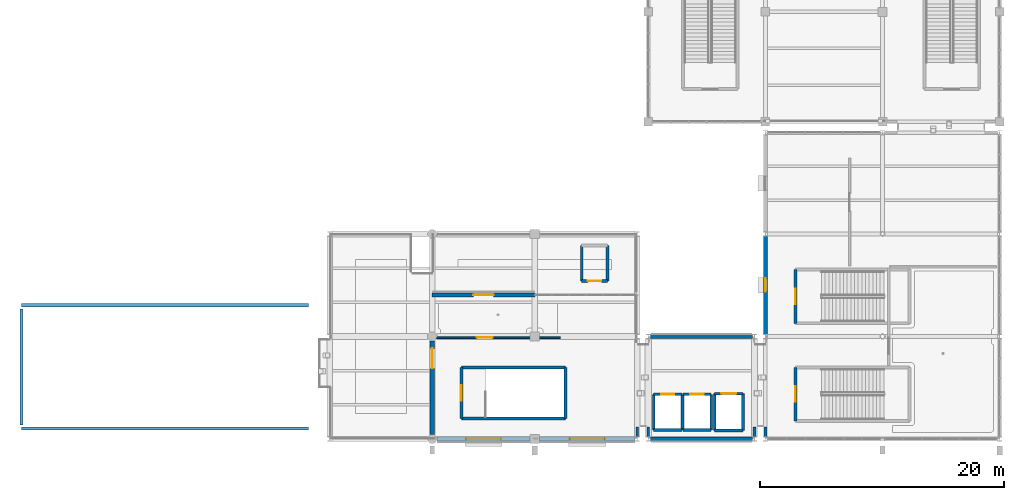
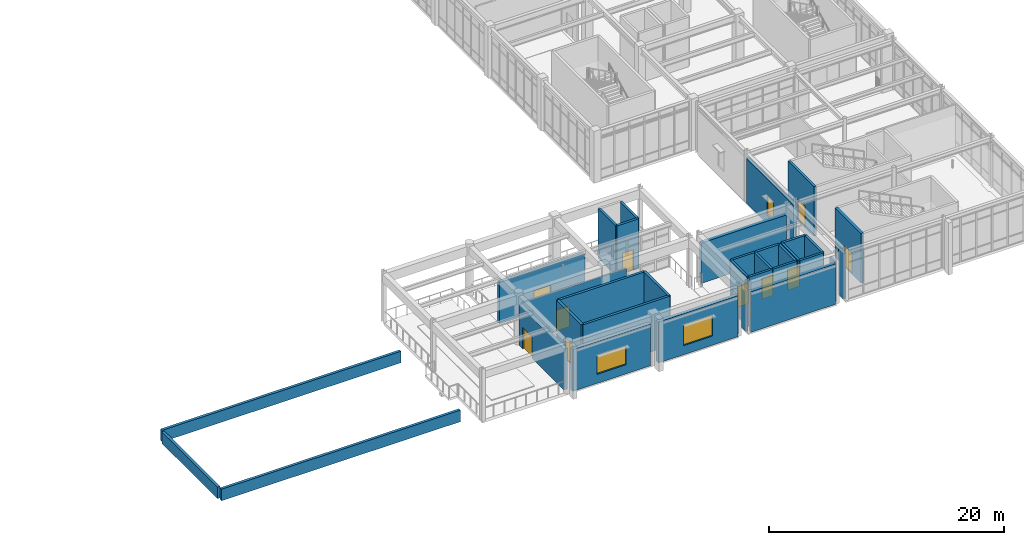
# One storey, part 65 of 80: 35 walls, 10 doors, 3 windows, 13 openings.
"""IFC4 building model written with IfcOpenShell, lengths in metres."""

import ifcopenshell
import ifcopenshell.guid

model = None  # the IFC model being written
_history = None  # IfcOwnerHistory: only IFC2X3 demands one
_inside = {}  # id of a spatial element -> (the spatial element, [elements in it])
_under = {}  # id of a project, library or spatial element -> (it, [spatial elements below it])
_declared = {}  # id of a project -> (the project, [libraries it declares])
_typed = {}  # id of a type object -> (the type object, [elements of that type])
_made_of = {}  # id of a material, layer set ... -> (it, [elements and type objects made of it])


def new_model(schema):
    """Start an empty IFC model of exactly this schema.

    Asked for "IFC4X3", IfcOpenShell would pick the latest addendum, in which some entities
    have other attributes; the version numbers below select the first issue.
    IFC2X3 requires an IfcOwnerHistory on every rooted entity: one is made here for all.
    """
    global model, _history
    if schema == "IFC4X3":
        model = ifcopenshell.file(schema_version=(4, 3, 0, 0))
    else:
        model = ifcopenshell.file(schema=schema)
    _inside.clear()
    _under.clear()
    _declared.clear()
    _typed.clear()
    _made_of.clear()
    _history = None
    if model.schema == "IFC2X3":
        org = make("IfcOrganization", Name="unknown")
        user = make(
            "IfcPersonAndOrganization",
            ThePerson=make("IfcPerson", FamilyName="unknown"),
            TheOrganization=org,
        )
        app = make(
            "IfcApplication",
            ApplicationDeveloper=org,
            Version="unknown",
            ApplicationFullName="unknown",
            ApplicationIdentifier="unknown",
        )
        _history = make(
            "IfcOwnerHistory",
            OwningUser=user,
            OwningApplication=app,
            ChangeAction="ADDED",
            CreationDate=0,
        )
    return model


def make(cls, **values):
    """One entity of the class cls with the attributes given. An attribute that is None is left unset."""
    return model.create_entity(
        cls, **{name: value for name, value in values.items() if value is not None}
    )


def rooted(cls, **values):
    """An entity with a GlobalId (a new one), such as an element, a storey or a relation."""
    return make(cls, GlobalId=ifcopenshell.guid.new(), OwnerHistory=_history, **values)


def si_unit(unit_type, name, prefix=None):
    """IfcSIUnit, for example si_unit("LENGTHUNIT", "METRE", prefix="MILLI")."""
    return make("IfcSIUnit", UnitType=unit_type, Prefix=prefix, Name=name)


def assignment(units):
    """IfcUnitAssignment: the units of a project."""
    return None if units is None else make("IfcUnitAssignment", Units=units)


def point(xyz):
    """IfcCartesianPoint."""
    return None if xyz is None else make("IfcCartesianPoint", Coordinates=xyz)


def direction(xyz):
    """IfcDirection."""
    return None if xyz is None else make("IfcDirection", DirectionRatios=xyz)


def frame(location, z_axis=None, x_axis=None):
    """IfcAxis2Placement3D, a coordinate frame: its origin and axes. An axis left out is left unset."""
    return make(
        "IfcAxis2Placement3D",
        Location=point(location),
        Axis=direction(z_axis),
        RefDirection=direction(x_axis),
    )


def frame_2d(location, x_axis=None):
    """IfcAxis2Placement2D, a coordinate frame in the plane: its origin and x axis."""
    return make(
        "IfcAxis2Placement2D", Location=point(location), RefDirection=direction(x_axis)
    )


def origin():
    """The frame at (0, 0, 0) with its axes left unset."""
    return frame((0.0, 0.0, 0.0))


def place(relative_to, where):
    """IfcLocalPlacement: puts the frame where relative to a parent placement (None: the world)."""
    return make(
        "IfcLocalPlacement", PlacementRelTo=relative_to, RelativePlacement=where
    )


def context(
    kind, dimensions, precision=None, world=None, true_north=None, identifier=None
):
    """IfcGeometricRepresentationContext, for example the 3D "Model" context."""
    return make(
        "IfcGeometricRepresentationContext",
        ContextIdentifier=identifier,
        ContextType=kind,
        CoordinateSpaceDimension=dimensions,
        Precision=precision,
        WorldCoordinateSystem=world,
        TrueNorth=true_north,
    )


def subcontext(parent, identifier, kind, view, scale=None):
    """IfcGeometricRepresentationSubContext, for example "Body" below "Model"."""
    return make(
        "IfcGeometricRepresentationSubContext",
        ContextIdentifier=identifier,
        ContextType=kind,
        ParentContext=parent,
        TargetScale=scale,
        TargetView=view,
    )


def project(units=None, contexts=None):
    """IfcProject with its units and contexts."""
    return rooted(
        "IfcProject",
        Name="project",
        RepresentationContexts=contexts,
        UnitsInContext=assignment(units),
    )


def spatial(cls, under=None, at=None, **own):
    """A site, building, storey or space (cls), placed at a placement, below another one or the project."""
    s = rooted(cls, ObjectPlacement=at, **own)
    if under is not None:
        _under.setdefault(under.id(), (under, []))[1].append(s)
    return s


def profile(cls, at=None, kind="AREA", **sizes):
    """A parametric profile (cls). Its sizes go by their IFC names, for example OverallWidth=200.0."""
    return make(cls, ProfileType=kind, Position=at, **sizes)


def rectangle(**sizes):
    """IfcRectangleProfileDef."""
    return profile("IfcRectangleProfileDef", **sizes)


def extrude(swept, where, along, depth):
    """IfcExtrudedAreaSolid: the profile swept, set in the frame where, extruded along a direction by depth."""
    return make(
        "IfcExtrudedAreaSolid",
        SweptArea=swept,
        Position=where,
        ExtrudedDirection=direction(along),
        Depth=depth,
    )


def shape(context_of_items, identifier, shape_type, items):
    """IfcShapeRepresentation: the items that make up one representation, for example the "Body"."""
    return make(
        "IfcShapeRepresentation",
        ContextOfItems=context_of_items,
        RepresentationIdentifier=identifier,
        RepresentationType=shape_type,
        Items=items,
    )


def material(Name=None, Category=None):
    """IfcMaterial."""
    return make("IfcMaterial", Name=Name, Category=Category)


def layer(
    of_material, thickness, ventilated=None, Name=None, Category=None, Priority=None
):
    """IfcMaterialLayer: one layer of a wall or slab, of a material (None: an air gap)."""
    return make(
        "IfcMaterialLayer",
        Material=of_material,
        LayerThickness=thickness,
        IsVentilated=ventilated,
        Name=Name,
        Category=Category,
        Priority=Priority,
    )


def layer_set(layers, Name=None):
    """IfcMaterialLayerSet."""
    return make("IfcMaterialLayerSet", MaterialLayers=layers, LayerSetName=Name)


def made_of(thing, what):
    """Note that an element or type object is made of a material, layer set ...; save() writes the relation."""
    if what is not None:
        _made_of.setdefault(what.id(), (what, []))[1].append(thing)
    return thing


def type_object(cls, material=None, **own):
    """A type object (cls), such as IfcWallType, which elements share."""
    return made_of(rooted(cls, **own), material)


def element(
    cls,
    number,
    at=None,
    inside=None,
    cuts=None,
    type_object=None,
    material=None,
    context=None,
    identifier="Body",
    shape_type=None,
    held_by="IfcProductDefinitionShape",
    body=None,
    shapes=None,
    **own,
):
    """One element of the class cls, such as IfcWall. Its Tag is "e" and its number.

    at: its placement. inside: the storey or other place that contains it. cuts: it is an
    opening in that element (IfcRelVoidsElement). A single representation is given by context,
    identifier, shape_type and body (its items); several are given by shapes. held_by: the class
    of the entity that holds the representations. save() writes the other relations.
    """
    e = rooted(cls, Tag="e%d" % number, ObjectPlacement=at, **own)
    if body is not None:
        shapes = [shape(context, identifier, shape_type, body)]
    if shapes is not None:
        e.Representation = make(held_by, Representations=shapes)
    if inside is not None:
        _inside.setdefault(inside.id(), (inside, []))[1].append(e)
    if cuts is not None:
        rooted(
            "IfcRelVoidsElement", RelatingBuildingElement=cuts, RelatedOpeningElement=e
        )
    if type_object is not None:
        _typed.setdefault(type_object.id(), (type_object, []))[1].append(e)
    return made_of(e, material)


def fill(opening, filler):
    """IfcRelFillsElement: the door or window that sits in an opening."""
    return rooted(
        "IfcRelFillsElement",
        RelatingOpeningElement=opening,
        RelatedBuildingElement=filler,
    )


def aggregate(whole, parts):
    """IfcRelAggregates: a whole, such as a stair, and the parts it consists of."""
    return rooted("IfcRelAggregates", RelatingObject=whole, RelatedObjects=parts)


def save(model, path):
    """Write the relations noted so far, then the file.

    IfcRelAggregates (storeys below a building ...), IfcRelContainedInSpatialStructure (elements
    in a storey), IfcRelDefinesByType, IfcRelAssociatesMaterial and IfcRelDeclares: one each for
    every whole, place, type object, material and project.
    """
    for whole, parts in _under.values():
        aggregate(whole, parts)
    for where, things in _inside.values():
        rooted(
            "IfcRelContainedInSpatialStructure",
            RelatedElements=things,
            RelatingStructure=where,
        )
    for kind, things in _typed.values():
        rooted("IfcRelDefinesByType", RelatedObjects=things, RelatingType=kind)
    for what, things in _made_of.values():
        rooted("IfcRelAssociatesMaterial", RelatedObjects=things, RelatingMaterial=what)
    for by, libraries in _declared.values():
        rooted("IfcRelDeclares", RelatingContext=by, RelatedDefinitions=libraries)
    model.write(path)


model = new_model("IFC4")

# Units and contexts
model_context = context("Model", 3, precision=1e-05, world=origin(), true_north=direction((0.0, 1.0)))
body_context = subcontext(model_context, "Body", "Model", "MODEL_VIEW")
ifc_project = project(units=[si_unit("LENGTHUNIT", "METRE"), si_unit("AREAUNIT", "SQUARE_METRE"), si_unit("VOLUMEUNIT", "CUBIC_METRE"), si_unit("PLANEANGLEUNIT", "RADIAN"), si_unit("MASSUNIT", "GRAM", prefix="KILO")], contexts=[model_context])

# Site, building, storey
site_placement = place(None, origin())
site = spatial("IfcSite", under=ifc_project, at=site_placement, CompositionType="ELEMENT")
building_placement = place(site_placement, origin())
building = spatial("IfcBuilding", under=site, at=building_placement, Name="Canglan Escarpment Cableway Terminal", CompositionType="ELEMENT")
storey_placement = place(building_placement, frame((0.0, 0.0, 19.199951171875)))
storey = spatial("IfcBuildingStorey", under=building, at=storey_placement, Name="L04", CompositionType="ELEMENT", Elevation=19.199951171875)

# Walls
ifc_material_1 = material(Name="Concrete C40", Category="concrete")
ifc_layer_1 = layer(ifc_material_1, 0.239990234375, Name="Concrete C40")
ifc_layer_set_1 = layer_set([ifc_layer_1], Name="Concrete C40")
wall_type_1 = type_object("IfcWallType", Name="WL-CORE-SHEAR-240", PredefinedType="SHEAR", material=ifc_layer_set_1)
wall_1_placement = place(storey_placement, frame((122.280029296875, 9.679931640625, 0.0), z_axis=(0.0, 0.0, 1.0), x_axis=(1.0, 0.0, 0.0)))
element("IfcWall", 1, at=wall_1_placement, inside=storey, type_object=wall_type_1, Name="Protected stair core wall ST-07 (L04)", PredefinedType="SHEAR", context=body_context, shape_type="SweptSolid", body=[
    extrude(rectangle(XDim=8.5400390625, YDim=0.239990234375, at=frame_2d((4.27001953125, 0.0))), origin(), (0.0, 0.0, 1.0), 5.16015625),
])
wall_2_placement = place(storey_placement, frame((130.820068359375, 9.679931640625, 0.0), z_axis=(0.0, 0.0, 1.0), x_axis=(0.0, 1.0, 0.0)))
element("IfcWall", 2, at=wall_2_placement, inside=storey, type_object=wall_type_1, Name="Protected stair core wall ST-07 (L04)", PredefinedType="SHEAR", context=body_context, shape_type="SweptSolid", body=[
    extrude(rectangle(XDim=4.190185546875, YDim=0.239990234375, at=frame_2d((2.09521484375, 0.0))), origin(), (0.0, 0.0, 1.0), 5.16015625),
])
wall_3_placement = place(storey_placement, frame((130.820068359375, 13.8701171875, 0.0), z_axis=(0.0, 0.0, 1.0), x_axis=(-1.0, 0.0, 0.0)))
element("IfcWall", 3, at=wall_3_placement, inside=storey, type_object=wall_type_1, Name="Protected stair core wall ST-07 (L04)", PredefinedType="SHEAR", context=body_context, shape_type="SweptSolid", body=[
    extrude(rectangle(XDim=8.5400390625, YDim=0.239990234375, at=frame_2d((4.27001953125, 0.0))), origin(), (0.0, 0.0, 1.0), 5.16015625),
])

# Wall, opening, door
wall_4_placement = place(storey_placement, frame((122.280029296875, 13.8701171875, 0.0), z_axis=(0.0, 0.0, 1.0), x_axis=(0.0, -1.0, 0.0)))
wall_4 = element("IfcWall", 4, at=wall_4_placement, inside=storey, type_object=wall_type_1, Name="Protected stair core wall ST-07 (L04)", PredefinedType="SHEAR", context=body_context, shape_type="SweptSolid", body=[
    extrude(rectangle(XDim=4.190185546875, YDim=0.239990234375, at=frame_2d((2.09521484375, 0.0))), origin(), (0.0, 0.0, 1.0), 5.16015625),
])
opening_1_placement = place(wall_4_placement, frame((1.469970703125, 0.0, 0.0)))
opening_1 = element("IfcOpeningElement", 5, at=opening_1_placement, cuts=wall_4, Name="Opening SD-D1", PredefinedType="OPENING", context=body_context, shape_type="SweptSolid", body=[
    extrude(rectangle(XDim=1.25, YDim=2.199951171875, at=frame_2d((0.625, 1.10009765625))), frame((0.0, 0.1298828125, 0.0), z_axis=(0.0, -1.0, 0.0), x_axis=(1.0, 0.0, 0.0)), (0.0, 0.0, 1.0), 0.260009765625),
])
ifc_material_2 = material(Name="Steel fire-resisting stair door", Category="steel")
door_type_1 = type_object("IfcDoorType", Name="DR-STAIR-EI90-1250", OperationType="NOTDEFINED", PredefinedType="DOOR", material=ifc_material_2)
door_1_placement = place(opening_1_placement, origin())
door_1 = element("IfcDoor", 6, at=door_1_placement, inside=storey, type_object=door_type_1, Name="Protected exit stair fire door ST-07 (L04)", OperationType="SINGLE_SWING_LEFT", OverallHeight=2.199951171875, OverallWidth=1.25, PredefinedType="DOOR", context=body_context, shape_type="SweptSolid", body=[
    extrude(rectangle(XDim=1.25, YDim=2.199951171875, at=frame_2d((0.625, 1.10009765625))), frame((0.0, 0.02490234375, 0.0), z_axis=(0.0, -1.0, 0.0), x_axis=(1.0, 0.0, 0.0)), (0.0, 0.0, 1.0), 0.050048828125),
])
fill(opening_1, door_1)

wall_5_placement = place(storey_placement, frame((149.679931640625, 13.8701171875, 0.0), z_axis=(0.0, 0.0, 1.0), x_axis=(0.0, -1.0, 0.0)))
wall_5 = element("IfcWall", 7, at=wall_5_placement, inside=storey, type_object=wall_type_1, Name="Protected stair core wall ST-08 (L04)", PredefinedType="SHEAR", context=body_context, shape_type="SweptSolid", body=[
    extrude(rectangle(XDim=4.39013671875, YDim=0.239990234375, at=frame_2d((2.195068359375, 0.0))), origin(), (0.0, 0.0, 1.0), 5.16015625),
])
opening_2_placement = place(wall_5_placement, frame((1.570068359375, 0.0, 0.0)))
opening_2 = element("IfcOpeningElement", 8, at=opening_2_placement, cuts=wall_5, Name="Opening SD-D1", PredefinedType="OPENING", context=body_context, shape_type="SweptSolid", body=[
    extrude(rectangle(XDim=1.25, YDim=2.199951171875, at=frame_2d((0.625, 1.10009765625))), frame((0.0, 0.1298828125, 0.0), z_axis=(0.0, -1.0, 0.0), x_axis=(1.0, 0.0, 0.0)), (0.0, 0.0, 1.0), 0.260009765625),
])
door_2_placement = place(opening_2_placement, origin())
door_2 = element("IfcDoor", 9, at=door_2_placement, inside=storey, type_object=door_type_1, Name="Protected exit stair fire door ST-08 (L04)", OperationType="SINGLE_SWING_LEFT", OverallHeight=2.199951171875, OverallWidth=1.25, PredefinedType="DOOR", context=body_context, shape_type="SweptSolid", body=[
    extrude(rectangle(XDim=1.25, YDim=2.199951171875, at=frame_2d((0.625, 1.10009765625))), frame((0.0, 0.02490234375, 0.0), z_axis=(0.0, -1.0, 0.0), x_axis=(1.0, 0.0, 0.0)), (0.0, 0.0, 1.0), 0.050048828125),
])
fill(opening_2, door_2)

wall_6_placement = place(storey_placement, frame((149.679931640625, 21.8701171875, 0.0), z_axis=(0.0, 0.0, 1.0), x_axis=(0.0, -1.0, 0.0)))
wall_6 = element("IfcWall", 10, at=wall_6_placement, inside=storey, type_object=wall_type_1, Name="Protected stair core wall ST-09 (L04)", PredefinedType="SHEAR", context=body_context, shape_type="SweptSolid", body=[
    extrude(rectangle(XDim=4.39013671875, YDim=0.239990234375, at=frame_2d((2.195068359375, 0.0))), origin(), (0.0, 0.0, 1.0), 5.16015625),
])
opening_3_placement = place(wall_6_placement, frame((1.570068359375, 0.0, 0.0)))
opening_3 = element("IfcOpeningElement", 11, at=opening_3_placement, cuts=wall_6, Name="Opening SD-D1", PredefinedType="OPENING", context=body_context, shape_type="SweptSolid", body=[
    extrude(rectangle(XDim=1.25, YDim=2.199951171875, at=frame_2d((0.625, 1.10009765625))), frame((0.0, 0.1298828125, 0.0), z_axis=(0.0, -1.0, 0.0), x_axis=(1.0, 0.0, 0.0)), (0.0, 0.0, 1.0), 0.260009765625),
])
door_3_placement = place(opening_3_placement, origin())
door_3 = element("IfcDoor", 12, at=door_3_placement, inside=storey, type_object=door_type_1, Name="Protected exit stair fire door ST-09 (L04)", OperationType="SINGLE_SWING_RIGHT", OverallHeight=2.199951171875, OverallWidth=1.25, PredefinedType="DOOR", context=body_context, shape_type="SweptSolid", body=[
    extrude(rectangle(XDim=1.25, YDim=2.199951171875, at=frame_2d((0.625, 1.10009765625))), frame((0.0, 0.02490234375, 0.0), z_axis=(0.0, -1.0, 0.0), x_axis=(1.0, 0.0, 0.0)), (0.0, 0.0, 1.0), 0.050048828125),
])
fill(opening_3, door_3)

# Walls
ifc_material_3 = material(Name="Dressed ashlar limestone on Concrete C40", Category="masonry")
ifc_layer_2 = layer(ifc_material_3, 0.320068359375, Name="Dressed ashlar limestone on Concrete C40")
ifc_layer_set_2 = layer_set([ifc_layer_2], Name="Dressed ashlar limestone on Concrete C40")
wall_type_2 = type_object("IfcWallType", Name="WL-EXT-ASHLAR-320", PredefinedType="STANDARD", material=ifc_layer_set_2)
for number, where, z_axis, x_axis, name in (
    (13, (137.77490234375, 8.0, 0.0), (0.0, 0.0, 1.0), (1.0, 0.0, 0.0), "Classical stone-faced exterior wall EW-FB5A-L04-S-01"),
    (14, (146.125, 16.39990234375, 0.0), (0.0, 0.0, 1.0), (-1.0, 0.0, 0.0), "Classical stone-faced exterior wall EW-FB5A-L04-N-01"),
):
    element("IfcWall", number, at=place(storey_placement, frame(where, z_axis=z_axis, x_axis=x_axis)), inside=storey, type_object=wall_type_2, Name=name, PredefinedType="STANDARD", context=body_context, shape_type="SweptSolid", body=[
        extrude(rectangle(XDim=8.35009765625, YDim=0.320068359375, at=frame_2d((4.175048828125, 0.0))), origin(), (0.0, 0.0, 1.0), 4.195068359375),
    ])

# Wall, opening, window
wall_7_placement = place(storey_placement, frame((147.199951171875, 24.625, 0.0), z_axis=(0.0, 0.0, 1.0), x_axis=(0.0, -1.0, 0.0)))
wall_7 = element("IfcWall", 15, at=wall_7_placement, inside=storey, type_object=wall_type_2, Name="Classical stone-faced exterior wall EW-FB5-L04-W-02", PredefinedType="STANDARD", context=body_context, shape_type="SweptSolid", body=[
    extrude(rectangle(XDim=8.050048828125, YDim=0.320068359375, at=frame_2d((4.02490234375, 0.0))), origin(), (0.0, 0.0, 1.0), 4.656982421875),
])
opening_4_placement = place(wall_7_placement, frame((3.47509765625, 0.0, 0.949951171875)))
opening_4 = element("IfcOpeningElement", 16, at=opening_4_placement, cuts=wall_7, Name="Opening W-03", PredefinedType="OPENING", context=body_context, shape_type="SweptSolid", body=[
    extrude(rectangle(XDim=1.10009765625, YDim=1.949951171875, at=frame_2d((0.550048828125, 0.97509765625))), frame((0.0, 0.169921875, 0.0), z_axis=(0.0, -1.0, 0.0), x_axis=(1.0, 0.0, 0.0)), (0.0, 0.0, 1.0), 0.340087890625),
])
ifc_material_4 = material(Name="Anodized bronze aluminium and Low-E double glazing", Category="aluminium")
window_type_1 = type_object("IfcWindowType", Name="WIN-EXT-03", PartitioningType="SINGLE_PANEL", PredefinedType="WINDOW", material=ifc_material_4)
window_1_placement = place(opening_4_placement, origin())
window_1 = element("IfcWindow", 17, at=window_1_placement, inside=storey, type_object=window_type_1, Name="Classical module window W-03", OverallHeight=1.949951171875, OverallWidth=1.10009765625, PartitioningType="SINGLE_PANEL", PredefinedType="WINDOW", context=body_context, shape_type="SweptSolid", body=[
    extrude(rectangle(XDim=1.10009765625, YDim=1.949951171875, at=frame_2d((0.550048828125, 0.97509765625))), frame((0.0, 0.030029296875, 0.0), z_axis=(0.0, -1.0, 0.0), x_axis=(1.0, 0.0, 0.0)), (0.0, 0.0, 1.0), 0.06005859375),
])
fill(opening_4, window_1)

# Walls
ifc_material_5 = material(Name="Insulated stone-faced spandrel wall", Category="masonry")
ifc_layer_3 = layer(ifc_material_5, 0.22998046875, Name="Insulated stone-faced spandrel wall")
ifc_layer_set_3 = layer_set([ifc_layer_3], Name="Insulated stone-faced spandrel wall")
wall_type_3 = type_object("IfcWallType", Name="WL-EXT-LINK-230", PredefinedType="STANDARD", material=ifc_layer_set_3)
wall_8_placement = place(storey_placement, frame((136.699951171875, 8.175048828125, 0.0), z_axis=(0.0, 0.0, 1.0), x_axis=(0.0, 1.0, 0.0)))
element("IfcWall", 18, at=wall_8_placement, inside=storey, type_object=wall_type_3, Name="Classical stone-faced exterior wall EW-FB4-L04-E-01-FL1", PredefinedType="STANDARD", context=body_context, shape_type="SweptSolid", body=[
    extrude(rectangle(XDim=0.824951171875, YDim=0.22998046875, at=frame_2d((0.41259765625, 0.0))), origin(), (0.0, 0.0, 1.0), 4.2451171875),
])
for number, where, z_axis, x_axis, name in (
    (19, (146.300048828125, 8.175048828125, 0.0), (0.0, 0.0, 1.0), (0.0, 1.0, 0.0), "Classical stone-faced exterior wall EW-FB5A-L04-E-01-FL1"),
    (20, (137.60009765625, 8.175048828125, 0.0), (0.0, 0.0, 1.0), (0.0, 1.0, 0.0), "Classical stone-faced exterior wall EW-FB5A-L04-W-01-FL1"),
):
    element("IfcWall", number, at=place(storey_placement, frame(where, z_axis=z_axis, x_axis=x_axis)), inside=storey, type_object=wall_type_3, Name=name, PredefinedType="STANDARD", context=body_context, shape_type="SweptSolid", body=[
        extrude(rectangle(XDim=0.824951171875, YDim=0.22998046875, at=frame_2d((0.41259765625, 0.0))), origin(), (0.0, 0.0, 1.0), 4.195068359375),
    ])
wall_9_placement = place(storey_placement, frame((147.199951171875, 8.175048828125, 0.0), z_axis=(0.0, 0.0, 1.0), x_axis=(0.0, 1.0, 0.0)))
element("IfcWall", 21, at=wall_9_placement, inside=storey, type_object=wall_type_3, Name="Classical stone-faced exterior wall EW-FB5-L04-W-01-FL1", PredefinedType="STANDARD", context=body_context, shape_type="SweptSolid", body=[
    extrude(rectangle(XDim=0.824951171875, YDim=0.22998046875, at=frame_2d((0.41259765625, 0.0))), origin(), (0.0, 0.0, 1.0), 4.755126953125),
])

# Wall, opening, window
ifc_material_6 = material(Name="Rusticated limestone masonry on Concrete C40", Category="masonry")
ifc_layer_4 = layer(ifc_material_6, 0.360107421875, Name="Rusticated limestone masonry on Concrete C40")
ifc_layer_set_4 = layer_set([ifc_layer_4], Name="Rusticated limestone masonry on Concrete C40")
wall_type_4 = type_object("IfcWallType", Name="WL-EXT-RUST-360", PredefinedType="STANDARD", material=ifc_layer_set_4)
wall_10_placement = place(storey_placement, frame((120.27490234375, 8.0, 0.0), z_axis=(0.0, 0.0, 1.0), x_axis=(1.0, 0.0, 0.0)))
wall_10 = element("IfcWall", 22, at=wall_10_placement, inside=storey, type_object=wall_type_4, Name="Classical stone-faced exterior wall EW-FB4-L04-S-01", PredefinedType="STANDARD", context=body_context, shape_type="SweptSolid", body=[
    extrude(rectangle(XDim=7.650146484375, YDim=0.360107421875, at=frame_2d((3.8251953125, 0.0))), origin(), (0.0, 0.0, 1.0), 4.344970703125),
])
opening_5_placement = place(wall_10_placement, frame((2.39990234375, 0.0, 0.949951171875)))
opening_5 = element("IfcOpeningElement", 23, at=opening_5_placement, cuts=wall_10, Name="Opening W-31", PredefinedType="OPENING", context=body_context, shape_type="SweptSolid", body=[
    extrude(rectangle(XDim=2.85009765625, YDim=1.949951171875, at=frame_2d((1.425048828125, 0.97509765625))), frame((0.0, 0.18994140625, 0.0), z_axis=(0.0, -1.0, 0.0), x_axis=(1.0, 0.0, 0.0)), (0.0, 0.0, 1.0), 0.380126953125),
])
window_type_2 = type_object("IfcWindowType", Name="WIN-EXT-31", PartitioningType="DOUBLE_PANEL_VERTICAL", PredefinedType="WINDOW", material=ifc_material_4)
window_2_placement = place(opening_5_placement, origin())
window_2 = element("IfcWindow", 24, at=window_2_placement, inside=storey, type_object=window_type_2, Name="Classical module window W-31", OverallHeight=1.949951171875, OverallWidth=2.85009765625, PartitioningType="SINGLE_PANEL", PredefinedType="WINDOW", context=body_context, shape_type="SweptSolid", body=[
    extrude(rectangle(XDim=2.85009765625, YDim=1.949951171875, at=frame_2d((1.425048828125, 0.97509765625))), frame((0.0, 0.030029296875, 0.0), z_axis=(0.0, -1.0, 0.0), x_axis=(1.0, 0.0, 0.0)), (0.0, 0.0, 1.0), 0.06005859375),
])
fill(opening_5, window_2)

wall_11_placement = place(storey_placement, frame((128.675048828125, 8.0, 0.0), z_axis=(0.0, 0.0, 1.0), x_axis=(1.0, 0.0, 0.0)))
wall_11 = element("IfcWall", 25, at=wall_11_placement, inside=storey, type_object=wall_type_4, Name="Classical stone-faced exterior wall EW-FB4-L04-S-02", PredefinedType="STANDARD", context=body_context, shape_type="SweptSolid", body=[
    extrude(rectangle(XDim=7.849853515625, YDim=0.360107421875, at=frame_2d((3.9248046875, 0.0))), origin(), (0.0, 0.0, 1.0), 4.2451171875),
])
opening_6_placement = place(wall_11_placement, frame((2.5, 0.0, 0.949951171875)))
opening_6 = element("IfcOpeningElement", 26, at=opening_6_placement, cuts=wall_11, Name="Opening W-32", PredefinedType="OPENING", context=body_context, shape_type="SweptSolid", body=[
    extrude(rectangle(XDim=2.85009765625, YDim=2.14990234375, at=frame_2d((1.425048828125, 1.074951171875))), frame((0.0, 0.18994140625, 0.0), z_axis=(0.0, -1.0, 0.0), x_axis=(1.0, 0.0, 0.0)), (0.0, 0.0, 1.0), 0.380126953125),
])
window_type_3 = type_object("IfcWindowType", Name="WIN-EXT-32", PartitioningType="DOUBLE_PANEL_VERTICAL", PredefinedType="WINDOW", material=ifc_material_4)
window_3_placement = place(opening_6_placement, origin())
window_3 = element("IfcWindow", 27, at=window_3_placement, inside=storey, type_object=window_type_3, Name="Classical module window W-32", OverallHeight=2.14990234375, OverallWidth=2.85009765625, PartitioningType="SINGLE_PANEL", PredefinedType="WINDOW", context=body_context, shape_type="SweptSolid", body=[
    extrude(rectangle(XDim=2.85009765625, YDim=2.14990234375, at=frame_2d((1.425048828125, 1.074951171875))), frame((0.0, 0.030029296875, 0.0), z_axis=(0.0, -1.0, 0.0), x_axis=(1.0, 0.0, 0.0)), (0.0, 0.0, 1.0), 0.06005859375),
])
fill(opening_6, window_3)

# Wall, opening, door
wall_12_placement = place(storey_placement, frame((128.300048828125, 19.800048828125, 0.0), z_axis=(0.0, 0.0, 1.0), x_axis=(-1.0, 0.0, 0.0)))
wall_12 = element("IfcWall", 28, at=wall_12_placement, inside=storey, type_object=wall_type_4, Name="Classical stone-faced exterior wall EW-FB4-L04-N-01", PredefinedType="STANDARD", context=body_context, shape_type="SweptSolid", body=[
    extrude(rectangle(XDim=8.400146484375, YDim=0.360107421875, at=frame_2d((4.2001953125, 0.0))), origin(), (0.0, 0.0, 1.0), 4.295166015625),
])
opening_7_placement = place(wall_12_placement, frame((3.375, 0.0, 0.0)))
opening_7 = element("IfcOpeningElement", 29, at=opening_7_placement, cuts=wall_12, Name="Opening ED-03", PredefinedType="OPENING", context=body_context, shape_type="SweptSolid", body=[
    extrude(rectangle(XDim=1.64990234375, YDim=2.25, at=frame_2d((0.824951171875, 1.125))), frame((0.0, 0.18994140625, 0.0), z_axis=(0.0, -1.0, 0.0), x_axis=(1.0, 0.0, 0.0)), (0.0, 0.0, 1.0), 0.380126953125),
])
ifc_material_7 = material(Name="Anodized bronze aluminium and tempered safety glass", Category="aluminium")
door_type_2 = type_object("IfcDoorType", Name="DR-EXT-TERR-1650", OperationType="NOTDEFINED", PredefinedType="DOOR", material=ifc_material_7)
door_4_placement = place(opening_7_placement, origin())
door_4 = element("IfcDoor", 30, at=door_4_placement, inside=storey, type_object=door_type_2, Name="Terrace access glazed door ED-03", OperationType="DOUBLE_DOOR_SINGLE_SWING", OverallHeight=2.25, OverallWidth=1.64990234375, PredefinedType="DOOR", context=body_context, shape_type="SweptSolid", body=[
    extrude(rectangle(XDim=1.64990234375, YDim=2.25, at=frame_2d((0.824951171875, 1.125))), frame((0.0, 0.02490234375, 0.0), z_axis=(0.0, -1.0, 0.0), x_axis=(1.0, 0.0, 0.0)), (0.0, 0.0, 1.0), 0.050048828125),
])
fill(opening_7, door_4)

wall_13_placement = place(storey_placement, frame((119.89990234375, 16.02490234375, 0.0), z_axis=(0.0, 0.0, 1.0), x_axis=(0.0, -1.0, 0.0)))
wall_13 = element("IfcWall", 31, at=wall_13_placement, inside=storey, type_object=wall_type_4, Name="Classical stone-faced exterior wall EW-FB4-L04-W-01", PredefinedType="STANDARD", context=body_context, shape_type="SweptSolid", body=[
    extrude(rectangle(XDim=7.64990234375, YDim=0.360107421875, at=frame_2d((3.824951171875, 0.0))), origin(), (0.0, 0.0, 1.0), 4.2451171875),
])
opening_8_placement = place(wall_13_placement, frame((0.60009765625, 0.0, 0.0)))
opening_8 = element("IfcOpeningElement", 32, at=opening_8_placement, cuts=wall_13, Name="Opening ED-03", PredefinedType="OPENING", context=body_context, shape_type="SweptSolid", body=[
    extrude(rectangle(XDim=1.64990234375, YDim=2.25, at=frame_2d((0.824951171875, 1.125))), frame((0.0, 0.18994140625, 0.0), z_axis=(0.0, -1.0, 0.0), x_axis=(1.0, 0.0, 0.0)), (0.0, 0.0, 1.0), 0.380126953125),
])
door_5_placement = place(opening_8_placement, origin())
door_5 = element("IfcDoor", 33, at=door_5_placement, inside=storey, type_object=door_type_2, Name="Terrace access glazed door ED-03", OperationType="DOUBLE_DOOR_SINGLE_SWING", OverallHeight=2.25, OverallWidth=1.64990234375, PredefinedType="DOOR", context=body_context, shape_type="SweptSolid", body=[
    extrude(rectangle(XDim=1.64990234375, YDim=2.25, at=frame_2d((0.824951171875, 1.125))), frame((0.0, 0.02490234375, 0.0), z_axis=(0.0, -1.0, 0.0), x_axis=(1.0, 0.0, 0.0)), (0.0, 0.0, 1.0), 0.050048828125),
])
fill(opening_8, door_5)

ifc_material_8 = material(Name="Acoustic double-stud gypsum partition", Category="gypsum")
ifc_layer_5 = layer(ifc_material_8, 0.14990234375, Name="Acoustic double-stud gypsum partition")
ifc_layer_set_5 = layer_set([ifc_layer_5], Name="Acoustic double-stud gypsum partition")
wall_type_5 = type_object("IfcWallType", Name="WL-INT-PART-150", PredefinedType="PARTITIONING", material=ifc_layer_set_5)
wall_14_placement = place(storey_placement, frame((120.199951171875, 16.300048828125, 0.0), z_axis=(0.0, 0.0, 1.0), x_axis=(1.0, 0.0, 0.0)))
wall_14 = element("IfcWall", 34, at=wall_14_placement, inside=storey, type_object=wall_type_5, Name="Interior partition wall IW-L04-05-MAIN", PredefinedType="PARTITIONING", context=body_context, shape_type="SweptSolid", body=[
    extrude(rectangle(XDim=10.199951171875, YDim=0.14990234375, at=frame_2d((5.10009765625, 0.0))), origin(), (0.0, 0.0, 1.0), 4.14501953125),
])
opening_9_placement = place(wall_14_placement, frame((3.35009765625, 0.0, 0.0)))
opening_9 = element("IfcOpeningElement", 35, at=opening_9_placement, cuts=wall_14, Name="Opening ID-12", PredefinedType="OPENING", context=body_context, shape_type="SweptSolid", body=[
    extrude(rectangle(XDim=1.300048828125, YDim=2.179931640625, at=frame_2d((0.64990234375, 1.08984375))), frame((0.0, 0.0849609375, 0.0), z_axis=(0.0, -1.0, 0.0), x_axis=(1.0, 0.0, 0.0)), (0.0, 0.0, 1.0), 0.169921875),
])
ifc_material_9 = material(Name="Stained oak and safety glass door", Category="glass")
door_type_3 = type_object("IfcDoorType", Name="DR-INT-ID-12", OperationType="NOTDEFINED", PredefinedType="DOOR", material=ifc_material_9)
door_6_placement = place(opening_9_placement, origin())
door_6 = element("IfcDoor", 36, at=door_6_placement, inside=storey, type_object=door_type_3, Name="VIP Mountain Club Lounge door ID-12", OperationType="SINGLE_SWING_LEFT", OverallHeight=2.179931640625, OverallWidth=1.300048828125, PredefinedType="DOOR", context=body_context, shape_type="SweptSolid", body=[
    extrude(rectangle(XDim=1.300048828125, YDim=2.179931640625, at=frame_2d((0.64990234375, 1.08984375))), frame((0.0, 0.02490234375, 0.0), z_axis=(0.0, -1.0, 0.0), x_axis=(1.0, 0.0, 0.0)), (0.0, 0.0, 1.0), 0.050048828125),
])
fill(opening_9, door_6)

# Walls
ifc_material_10 = material(Name="Dressed limestone coping wall", Category="masonry")
ifc_layer_6 = layer(ifc_material_10, 0.260009765625, Name="Dressed limestone coping wall")
ifc_layer_set_6 = layer_set([ifc_layer_6], Name="Dressed limestone coping wall")
wall_type_6 = type_object("IfcWallType", Name="WL-PAR-STONE-260", PredefinedType="PARAPET", material=ifc_layer_set_6)
for number, where, z_axis, x_axis, name in (
    (37, (86.25, 8.85009765625, 0.0), (0.0, 0.0, 1.0), (1.0, 0.0, 0.0), "Classical stone roof parapet PW-01"),
    (38, (86.25, 18.949951171875, 0.0), (0.0, 0.0, 1.0), (1.0, 0.0, 0.0), "Classical stone roof parapet PW-01"),
):
    element("IfcWall", number, at=place(storey_placement, frame(where, z_axis=z_axis, x_axis=x_axis)), inside=storey, type_object=wall_type_6, Name=name, PredefinedType="PARAPET", context=body_context, shape_type="SweptSolid", body=[
        extrude(rectangle(XDim=23.5, YDim=0.260009765625, at=frame_2d((11.75, 0.0))), origin(), (0.0, 0.0, 1.0), 1.199951171875),
    ])
wall_15_placement = place(storey_placement, frame((86.25, 9.14990234375, 0.0), z_axis=(0.0, 0.0, 1.0), x_axis=(0.0, 1.0, 0.0)))
element("IfcWall", 39, at=wall_15_placement, inside=storey, type_object=wall_type_6, Name="Classical stone roof parapet PW-01", PredefinedType="PARAPET", context=body_context, shape_type="SweptSolid", body=[
    extrude(rectangle(XDim=9.5, YDim=0.260009765625, at=frame_2d((4.75, 0.0))), origin(), (0.0, 0.0, 1.0), 1.199951171875),
])
ifc_layer_7 = layer(ifc_material_1, 0.219970703125, Name="Concrete C40")
ifc_layer_set_7 = layer_set([ifc_layer_7], Name="Concrete C40")
wall_type_7 = type_object("IfcWallType", Name="WL-SHAFT-SHEAR-220", PredefinedType="SHEAR", material=ifc_layer_set_7)
wall_16_placement = place(storey_placement, frame((138.0400390625, 8.739990234375, 0.0), z_axis=(0.0, 0.0, 1.0), x_axis=(1.0, 0.0, 0.0)))
element("IfcWall", 40, at=wall_16_placement, inside=storey, type_object=wall_type_7, Name="Elevator core shaft wall LF-01 (L04)", PredefinedType="SHEAR", context=body_context, shape_type="SweptSolid", body=[
    extrude(rectangle(XDim=2.320068359375, YDim=0.219970703125, at=frame_2d((1.16015625, 0.0))), origin(), (0.0, 0.0, 1.0), 5.16015625),
])
wall_17_placement = place(storey_placement, frame((140.39990234375, 8.739990234375, 0.0), z_axis=(0.0, 0.0, 1.0), x_axis=(0.0, 1.0, 0.0)))
element("IfcWall", 41, at=wall_17_placement, inside=storey, type_object=wall_type_7, Name="Elevator core shaft wall LF-01 (L04)", PredefinedType="SHEAR", context=body_context, shape_type="SweptSolid", body=[
    extrude(rectangle(XDim=2.919921875, YDim=0.219970703125, at=frame_2d((1.4599609375, 0.0))), origin(), (0.0, 0.0, 1.0), 5.16015625),
])

# Wall, opening, door
wall_18_placement = place(storey_placement, frame((140.360107421875, 11.659912109375, 0.0), z_axis=(0.0, 0.0, 1.0), x_axis=(-1.0, 0.0, 0.0)))
wall_18 = element("IfcWall", 42, at=wall_18_placement, inside=storey, type_object=wall_type_7, Name="Elevator core shaft wall LF-01 (L04)", PredefinedType="SHEAR", context=body_context, shape_type="SweptSolid", body=[
    extrude(rectangle(XDim=2.320068359375, YDim=0.219970703125, at=frame_2d((1.16015625, 0.0))), origin(), (0.0, 0.0, 1.0), 5.16015625),
])
opening_10_placement = place(wall_18_placement, frame((0.610107421875, 0.0, 0.0)))
opening_10 = element("IfcOpeningElement", 43, at=opening_10_placement, cuts=wall_18, Name="Opening LD-01", PredefinedType="OPENING", context=body_context, shape_type="SweptSolid", body=[
    extrude(rectangle(XDim=1.10009765625, YDim=2.14990234375, at=frame_2d((0.550048828125, 1.074951171875))), frame((0.0, 0.1201171875, 0.0), z_axis=(0.0, -1.0, 0.0), x_axis=(1.0, 0.0, 0.0)), (0.0, 0.0, 1.0), 0.239990234375),
])
ifc_material_11 = material(Name="Brushed stainless steel lift landing door", Category="steel")
door_type_4 = type_object("IfcDoorType", Name="DR-LIFT-SLIDE-1100", OperationType="DOUBLE_DOOR_SLIDING", PredefinedType="DOOR", material=ifc_material_11)
door_7_placement = place(opening_10_placement, origin())
door_7 = element("IfcDoor", 44, at=door_7_placement, inside=storey, type_object=door_type_4, Name="Elevator sliding landing door LF-01 (L04)", OperationType="DOUBLE_DOOR_SLIDING", OverallHeight=2.14990234375, OverallWidth=1.10009765625, PredefinedType="DOOR", context=body_context, shape_type="SweptSolid", body=[
    extrude(rectangle(XDim=1.10009765625, YDim=2.14990234375, at=frame_2d((0.550048828125, 1.074951171875))), frame((0.0, 0.02490234375, 0.0), z_axis=(0.0, -1.0, 0.0), x_axis=(1.0, 0.0, 0.0)), (0.0, 0.0, 1.0), 0.050048828125),
])
fill(opening_10, door_7)

# Walls
wall_19_placement = place(storey_placement, frame((138.0400390625, 11.659912109375, 0.0), z_axis=(0.0, 0.0, 1.0), x_axis=(0.0, -1.0, 0.0)))
element("IfcWall", 45, at=wall_19_placement, inside=storey, type_object=wall_type_7, Name="Elevator core shaft wall LF-01 (L04)", PredefinedType="SHEAR", context=body_context, shape_type="SweptSolid", body=[
    extrude(rectangle(XDim=2.919921875, YDim=0.219970703125, at=frame_2d((1.4599609375, 0.0))), origin(), (0.0, 0.0, 1.0), 5.16015625),
])
wall_20_placement = place(storey_placement, frame((140.43994140625, 8.739990234375, 0.0), z_axis=(0.0, 0.0, 1.0), x_axis=(1.0, 0.0, 0.0)))
element("IfcWall", 46, at=wall_20_placement, inside=storey, type_object=wall_type_7, Name="Elevator core shaft wall LF-02 (L04)", PredefinedType="SHEAR", context=body_context, shape_type="SweptSolid", body=[
    extrude(rectangle(XDim=2.320068359375, YDim=0.219970703125, at=frame_2d((1.16015625, 0.0))), origin(), (0.0, 0.0, 1.0), 5.16015625),
])
wall_21_placement = place(storey_placement, frame((142.760009765625, 8.739990234375, 0.0), z_axis=(0.0, 0.0, 1.0), x_axis=(0.0, 1.0, 0.0)))
element("IfcWall", 47, at=wall_21_placement, inside=storey, type_object=wall_type_7, Name="Elevator core shaft wall LF-02 (L04)", PredefinedType="SHEAR", context=body_context, shape_type="SweptSolid", body=[
    extrude(rectangle(XDim=2.919921875, YDim=0.219970703125, at=frame_2d((1.4599609375, 0.0))), origin(), (0.0, 0.0, 1.0), 5.16015625),
])

# Wall, opening, door
wall_22_placement = place(storey_placement, frame((142.760009765625, 11.659912109375, 0.0), z_axis=(0.0, 0.0, 1.0), x_axis=(-1.0, 0.0, 0.0)))
wall_22 = element("IfcWall", 48, at=wall_22_placement, inside=storey, type_object=wall_type_7, Name="Elevator core shaft wall LF-02 (L04)", PredefinedType="SHEAR", context=body_context, shape_type="SweptSolid", body=[
    extrude(rectangle(XDim=2.320068359375, YDim=0.219970703125, at=frame_2d((1.16015625, 0.0))), origin(), (0.0, 0.0, 1.0), 5.16015625),
])
opening_11_placement = place(wall_22_placement, frame((0.610107421875, 0.0, 0.0)))
opening_11 = element("IfcOpeningElement", 49, at=opening_11_placement, cuts=wall_22, Name="Opening LD-01", PredefinedType="OPENING", context=body_context, shape_type="SweptSolid", body=[
    extrude(rectangle(XDim=1.10009765625, YDim=2.14990234375, at=frame_2d((0.550048828125, 1.074951171875))), frame((0.0, 0.1201171875, 0.0), z_axis=(0.0, -1.0, 0.0), x_axis=(1.0, 0.0, 0.0)), (0.0, 0.0, 1.0), 0.239990234375),
])
door_8_placement = place(opening_11_placement, origin())
door_8 = element("IfcDoor", 50, at=door_8_placement, inside=storey, type_object=door_type_4, Name="Elevator sliding landing door LF-02 (L04)", OperationType="DOUBLE_DOOR_SLIDING", OverallHeight=2.14990234375, OverallWidth=1.10009765625, PredefinedType="DOOR", context=body_context, shape_type="SweptSolid", body=[
    extrude(rectangle(XDim=1.10009765625, YDim=2.14990234375, at=frame_2d((0.550048828125, 1.074951171875))), frame((0.0, 0.02490234375, 0.0), z_axis=(0.0, -1.0, 0.0), x_axis=(1.0, 0.0, 0.0)), (0.0, 0.0, 1.0), 0.050048828125),
])
fill(opening_11, door_8)

wall_23_placement = place(storey_placement, frame((132.139892578125, 20.93994140625, 0.0), z_axis=(0.0, 0.0, 1.0), x_axis=(1.0, 0.0, 0.0)))
wall_23 = element("IfcWall", 51, at=wall_23_placement, inside=storey, type_object=wall_type_7, Name="Elevator core shaft wall LF-06 (L04)", PredefinedType="SHEAR", context=body_context, shape_type="SweptSolid", body=[
    extrude(rectangle(XDim=2.1201171875, YDim=0.219970703125, at=frame_2d((1.06005859375, 0.0))), origin(), (0.0, 0.0, 1.0), 5.16015625),
])
opening_12_placement = place(wall_23_placement, frame((0.510009765625, 0.0, 0.0)))
opening_12 = element("IfcOpeningElement", 52, at=opening_12_placement, cuts=wall_23, Name="Opening LD-01", PredefinedType="OPENING", context=body_context, shape_type="SweptSolid", body=[
    extrude(rectangle(XDim=1.10009765625, YDim=2.14990234375, at=frame_2d((0.550048828125, 1.074951171875))), frame((0.0, 0.1201171875, 0.0), z_axis=(0.0, -1.0, 0.0), x_axis=(1.0, 0.0, 0.0)), (0.0, 0.0, 1.0), 0.239990234375),
])
door_9_placement = place(opening_12_placement, origin())
door_9 = element("IfcDoor", 53, at=door_9_placement, inside=storey, type_object=door_type_4, Name="Elevator sliding landing door LF-06 (L04)", OperationType="DOUBLE_DOOR_SLIDING", OverallHeight=2.14990234375, OverallWidth=1.10009765625, PredefinedType="DOOR", context=body_context, shape_type="SweptSolid", body=[
    extrude(rectangle(XDim=1.10009765625, YDim=2.14990234375, at=frame_2d((0.550048828125, 1.074951171875))), frame((0.0, 0.02490234375, 0.0), z_axis=(0.0, -1.0, 0.0), x_axis=(1.0, 0.0, 0.0)), (0.0, 0.0, 1.0), 0.050048828125),
])
fill(opening_12, door_9)

# Walls
for number, where, z_axis, x_axis, name in (
    (54, (134.260009765625, 20.93994140625, 0.0), (0.0, 0.0, 1.0), (0.0, 1.0, 0.0), "Elevator core shaft wall LF-06 (L04)"),
    (55, (132.139892578125, 23.860107421875, 0.0), (0.0, 0.0, 1.0), (0.0, -1.0, 0.0), "Elevator core shaft wall LF-06 (L04)"),
):
    element("IfcWall", number, at=place(storey_placement, frame(where, z_axis=z_axis, x_axis=x_axis)), inside=storey, type_object=wall_type_7, Name=name, PredefinedType="SHEAR", context=body_context, shape_type="SweptSolid", body=[
        extrude(rectangle(XDim=2.920166015625, YDim=0.219970703125, at=frame_2d((1.4599609375, 0.0))), origin(), (0.0, 0.0, 1.0), 5.16015625),
    ])
wall_24_placement = place(storey_placement, frame((143.0400390625, 8.68994140625, 0.0), z_axis=(0.0, 0.0, 1.0), x_axis=(1.0, 0.0, 0.0)))
element("IfcWall", 56, at=wall_24_placement, inside=storey, type_object=wall_type_7, Name="Elevator core shaft wall LF-07 (L04)", PredefinedType="SHEAR", context=body_context, shape_type="SweptSolid", body=[
    extrude(rectangle(XDim=2.320068359375, YDim=0.219970703125, at=frame_2d((1.16015625, 0.0))), origin(), (0.0, 0.0, 1.0), 5.16015625),
])
wall_25_placement = place(storey_placement, frame((145.360107421875, 8.68994140625, 0.0), z_axis=(0.0, 0.0, 1.0), x_axis=(0.0, 1.0, 0.0)))
element("IfcWall", 57, at=wall_25_placement, inside=storey, type_object=wall_type_7, Name="Elevator core shaft wall LF-07 (L04)", PredefinedType="SHEAR", context=body_context, shape_type="SweptSolid", body=[
    extrude(rectangle(XDim=3.02001953125, YDim=0.219970703125, at=frame_2d((1.510009765625, 0.0))), origin(), (0.0, 0.0, 1.0), 5.16015625),
])

# Wall, opening, door
wall_26_placement = place(storey_placement, frame((145.360107421875, 11.7099609375, 0.0), z_axis=(0.0, 0.0, 1.0), x_axis=(-1.0, 0.0, 0.0)))
wall_26 = element("IfcWall", 58, at=wall_26_placement, inside=storey, type_object=wall_type_7, Name="Elevator core shaft wall LF-07 (L04)", PredefinedType="SHEAR", context=body_context, shape_type="SweptSolid", body=[
    extrude(rectangle(XDim=2.320068359375, YDim=0.219970703125, at=frame_2d((1.16015625, 0.0))), origin(), (0.0, 0.0, 1.0), 5.16015625),
])
opening_13_placement = place(wall_26_placement, frame((0.56005859375, 0.0, 0.0)))
opening_13 = element("IfcOpeningElement", 59, at=opening_13_placement, cuts=wall_26, Name="Opening LD-02", PredefinedType="OPENING", context=body_context, shape_type="SweptSolid", body=[
    extrude(rectangle(XDim=1.199951171875, YDim=2.14990234375, at=frame_2d((0.60009765625, 1.074951171875))), frame((0.0, 0.1201171875, 0.0), z_axis=(0.0, -1.0, 0.0), x_axis=(1.0, 0.0, 0.0)), (0.0, 0.0, 1.0), 0.239990234375),
])
ifc_material_12 = material(Name="Fire-rated stainless steel lift landing door", Category="steel")
door_type_5 = type_object("IfcDoorType", Name="DR-LIFT-FIRE-1200", OperationType="DOUBLE_DOOR_SLIDING", PredefinedType="DOOR", material=ifc_material_12)
door_10_placement = place(opening_13_placement, origin())
door_10 = element("IfcDoor", 60, at=door_10_placement, inside=storey, type_object=door_type_5, Name="Elevator sliding landing door LF-07 (L04)", OperationType="DOUBLE_DOOR_SLIDING", OverallHeight=2.14990234375, OverallWidth=1.199951171875, PredefinedType="DOOR", context=body_context, shape_type="SweptSolid", body=[
    extrude(rectangle(XDim=1.199951171875, YDim=2.14990234375, at=frame_2d((0.60009765625, 1.074951171875))), frame((0.0, 0.02490234375, 0.0), z_axis=(0.0, -1.0, 0.0), x_axis=(1.0, 0.0, 0.0)), (0.0, 0.0, 1.0), 0.050048828125),
])
fill(opening_13, door_10)

# Wall
wall_27_placement = place(storey_placement, frame((143.0400390625, 11.7099609375, 0.0), z_axis=(0.0, 0.0, 1.0), x_axis=(0.0, -1.0, 0.0)))
element("IfcWall", 61, at=wall_27_placement, inside=storey, type_object=wall_type_7, Name="Elevator core shaft wall LF-07 (L04)", PredefinedType="SHEAR", context=body_context, shape_type="SweptSolid", body=[
    extrude(rectangle(XDim=3.02001953125, YDim=0.219970703125, at=frame_2d((1.510009765625, 0.0))), origin(), (0.0, 0.0, 1.0), 5.16015625),
])

save(model, "model.ifc")
